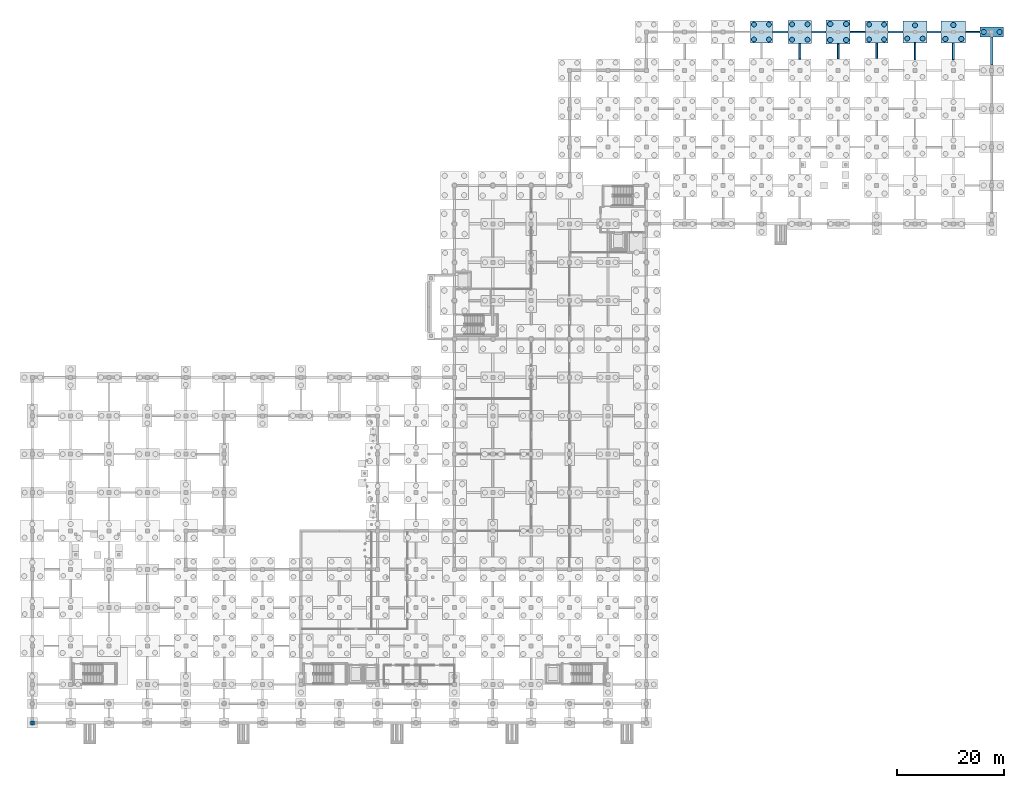
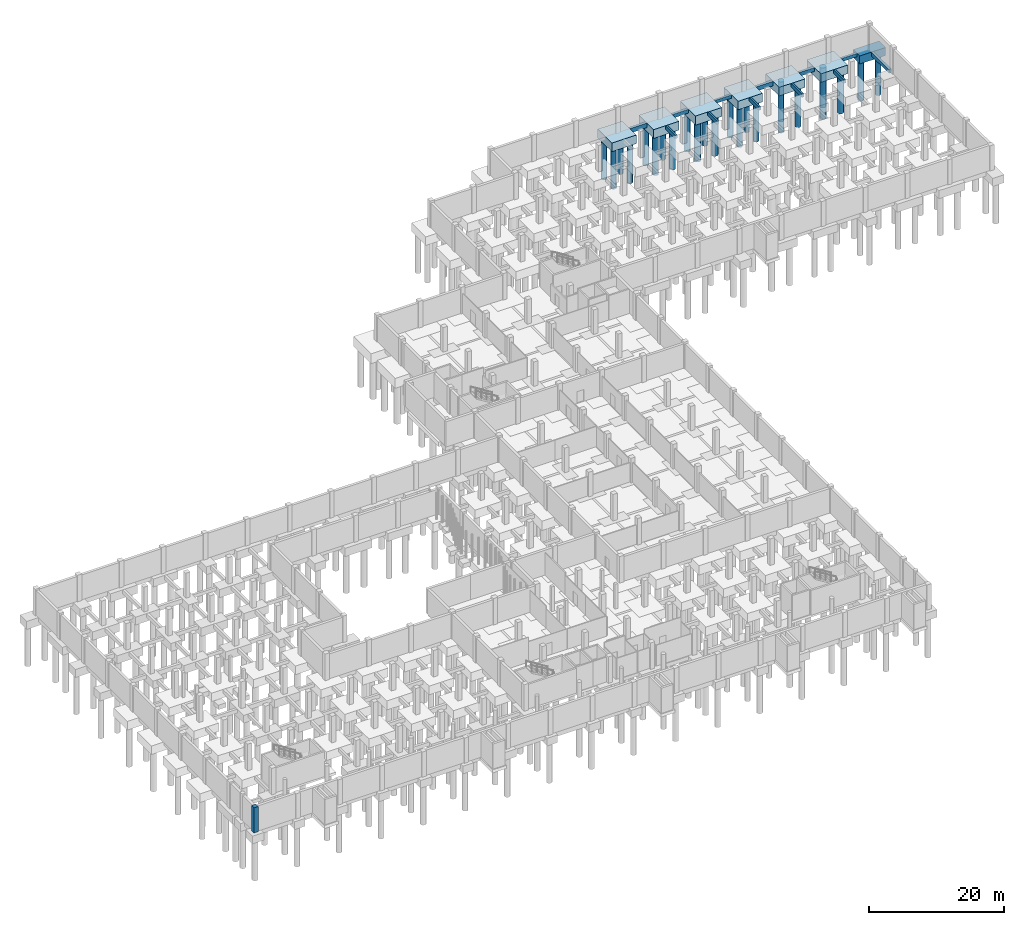
# One storey, part 16 of 35: 24 piles, 19 footings, 1 column.
"""IFC4 building model written with IfcOpenShell, lengths in metres."""

from ifc_helpers import new_model, si_unit, direction, frame, origin, origin_2d, place, context, subcontext, project, spatial, rectangle, circle, extrude, material, material_profile, profile_set, type_object, element, save


model = new_model("IFC4")

# Units and contexts
model_context = context("Model", 3, precision=1e-05, world=origin(), true_north=direction((0.0, 1.0)))
body_context = subcontext(model_context, "Body", "Model", "MODEL_VIEW")
ifc_project = project(units=[si_unit("LENGTHUNIT", "METRE"), si_unit("AREAUNIT", "SQUARE_METRE"), si_unit("VOLUMEUNIT", "CUBIC_METRE"), si_unit("PLANEANGLEUNIT", "RADIAN"), si_unit("MASSUNIT", "GRAM", prefix="KILO"), si_unit("THERMODYNAMICTEMPERATUREUNIT", "KELVIN"), si_unit("POWERUNIT", "WATT")], contexts=[model_context])

# Site, building, storey
site_placement = place(None, origin())
site = spatial("IfcSite", under=ifc_project, at=site_placement, CompositionType="ELEMENT")
building_placement = place(site_placement, origin())
building = spatial("IfcBuilding", under=site, at=building_placement, Name="Kaldorven Railside Theatre", CompositionType="ELEMENT")
storey_placement = place(building_placement, frame((0.0, 0.0, -4.800048828125)))
storey = spatial("IfcBuildingStorey", under=building, at=storey_placement, Name="B1", CompositionType="ELEMENT", Elevation=-4.800048828125)

# Footings
ifc_material_1 = material(Name="Concrete C40/50", Category="concrete")
ifc_material_profile_1 = material_profile(ifc_material_1, rectangle(XDim=0.449951171875, YDim=0.800048828125, at=origin_2d()), Name="RC 450x800")
ifc_profile_set_1 = profile_set([ifc_material_profile_1], Name="Concrete C40/50")
footing_type_1 = type_object("IfcFootingType", Name="FTG-GB01", PredefinedType="FOOTING_BEAM", material=ifc_profile_set_1)
footing_1_placement = place(storey_placement, frame((146.89990234375, 141.60009765625, -0.39990234375), z_axis=(1.0, 0.0, 0.0), x_axis=(0.0, 1.0, 0.0)))
element("IfcFooting", 1, at=footing_1_placement, inside=storey, type_object=footing_type_1, Name="Foundation Tie Beam GB-462", PredefinedType="FOOTING_BEAM", context=body_context, shape_type="SweptSolid", body=[
    extrude(rectangle(XDim=0.449951171875, YDim=0.800048828125, at=origin_2d()), origin(), (0.0, 0.0, 1.0), 2.925048828125),
])
footing_2_placement = place(storey_placement, frame((168.5, 141.60009765625, -0.39990234375), z_axis=(1.0, 0.0, 0.0), x_axis=(0.0, 1.0, 0.0)))
element("IfcFooting", 2, at=footing_2_placement, inside=storey, type_object=footing_type_1, Name="Foundation Tie Beam GB-465", PredefinedType="FOOTING_BEAM", context=body_context, shape_type="SweptSolid", body=[
    extrude(rectangle(XDim=0.449951171875, YDim=0.800048828125, at=origin_2d()), origin(), (0.0, 0.0, 1.0), 2.875),
])
ifc_material_profile_2 = material_profile(ifc_material_1, rectangle(XDim=0.39990234375, YDim=0.699951171875, at=origin_2d()), Name="RC 400x700")
ifc_profile_set_2 = profile_set([ifc_material_profile_2], Name="Concrete C40/50")
footing_type_2 = type_object("IfcFootingType", Name="FTG-GB02", PredefinedType="FOOTING_BEAM", material=ifc_profile_set_2)
footing_3_placement = place(storey_placement, frame((188.0, 135.425048828125, -0.349853515625), z_axis=(0.0, 1.0, 0.0), x_axis=(-1.0, 0.0, 0.0)))
element("IfcFooting", 3, at=footing_3_placement, inside=storey, type_object=footing_type_2, Name="Foundation Tie Beam GB-458", PredefinedType="FOOTING_BEAM", context=body_context, shape_type="SweptSolid", body=[
    extrude(rectangle(XDim=0.39990234375, YDim=0.699951171875, at=origin_2d()), origin(), (0.0, 0.0, 1.0), 5.199951171875),
])
footing_4_placement = place(storey_placement, frame((154.175048828125, 141.60009765625, -0.349853515625), z_axis=(1.0, 0.0, 0.0), x_axis=(0.0, 1.0, 0.0)))
element("IfcFooting", 4, at=footing_4_placement, inside=storey, type_object=footing_type_2, Name="Foundation Tie Beam GB-463", PredefinedType="FOOTING_BEAM", context=body_context, shape_type="SweptSolid", body=[
    extrude(rectangle(XDim=0.39990234375, YDim=0.699951171875, at=origin_2d()), origin(), (0.0, 0.0, 1.0), 2.77490234375),
])
footing_5_placement = place(storey_placement, frame((175.824951171875, 141.60009765625, -0.349853515625), z_axis=(1.0, 0.0, 0.0), x_axis=(0.0, 1.0, 0.0)))
element("IfcFooting", 5, at=footing_5_placement, inside=storey, type_object=footing_type_2, Name="Foundation Tie Beam GB-466", PredefinedType="FOOTING_BEAM", context=body_context, shape_type="SweptSolid", body=[
    extrude(rectangle(XDim=0.39990234375, YDim=0.699951171875, at=origin_2d()), origin(), (0.0, 0.0, 1.0), 2.675048828125),
])
ifc_material_profile_3 = material_profile(ifc_material_1, rectangle(XDim=0.35009765625, YDim=0.60009765625, at=origin_2d()), Name="RC 350x600")
ifc_profile_set_3 = profile_set([ifc_material_profile_3], Name="Concrete C40/50")
footing_type_3 = type_object("IfcFootingType", Name="FTG-GB03", PredefinedType="FOOTING_BEAM", material=ifc_profile_set_3)
footing_6_placement = place(storey_placement, frame((152.0, 136.5, -0.300048828125), z_axis=(0.0, 1.0, 0.0), x_axis=(-1.0, 0.0, 0.0)))
element("IfcFooting", 6, at=footing_6_placement, inside=storey, type_object=footing_type_3, Name="Foundation Tie Beam GB-449", PredefinedType="FOOTING_BEAM", context=body_context, shape_type="SweptSolid", body=[
    extrude(rectangle(XDim=0.35009765625, YDim=0.60009765625, at=origin_2d()), origin(), (0.0, 0.0, 1.0), 2.925048828125),
])
footing_7_placement = place(storey_placement, frame((159.199951171875, 136.574951171875, -0.300048828125), z_axis=(0.0, 1.0, 0.0), x_axis=(-1.0, 0.0, 0.0)))
element("IfcFooting", 7, at=footing_7_placement, inside=storey, type_object=footing_type_3, Name="Foundation Tie Beam GB-451", PredefinedType="FOOTING_BEAM", context=body_context, shape_type="SweptSolid", body=[
    extrude(rectangle(XDim=0.35009765625, YDim=0.60009765625, at=origin_2d()), origin(), (0.0, 0.0, 1.0), 2.775146484375),
])
footing_8_placement = place(storey_placement, frame((166.39990234375, 136.64990234375, -0.300048828125), z_axis=(0.0, 1.0, 0.0), x_axis=(-1.0, 0.0, 0.0)))
element("IfcFooting", 8, at=footing_8_placement, inside=storey, type_object=footing_type_3, Name="Foundation Tie Beam GB-453", PredefinedType="FOOTING_BEAM", context=body_context, shape_type="SweptSolid", body=[
    extrude(rectangle(XDim=0.35009765625, YDim=0.60009765625, at=origin_2d()), origin(), (0.0, 0.0, 1.0), 2.85009765625),
])
footing_9_placement = place(storey_placement, frame((173.60009765625, 136.35009765625, -0.300048828125), z_axis=(0.0, 1.0, 0.0), x_axis=(-1.0, 0.0, 0.0)))
element("IfcFooting", 9, at=footing_9_placement, inside=storey, type_object=footing_type_3, Name="Foundation Tie Beam GB-455", PredefinedType="FOOTING_BEAM", context=body_context, shape_type="SweptSolid", body=[
    extrude(rectangle(XDim=0.35009765625, YDim=0.60009765625, at=origin_2d()), origin(), (0.0, 0.0, 1.0), 3.224853515625),
])
footing_10_placement = place(storey_placement, frame((180.800048828125, 136.425048828125, -0.300048828125), z_axis=(0.0, 1.0, 0.0), x_axis=(-1.0, 0.0, 0.0)))
element("IfcFooting", 10, at=footing_10_placement, inside=storey, type_object=footing_type_3, Name="Foundation Tie Beam GB-457", PredefinedType="FOOTING_BEAM", context=body_context, shape_type="SweptSolid", body=[
    extrude(rectangle(XDim=0.35009765625, YDim=0.60009765625, at=origin_2d()), origin(), (0.0, 0.0, 1.0), 3.074951171875),
])
footing_11_placement = place(storey_placement, frame((161.449951171875, 141.60009765625, -0.300048828125), z_axis=(1.0, 0.0, 0.0), x_axis=(0.0, 1.0, 0.0)))
element("IfcFooting", 11, at=footing_11_placement, inside=storey, type_object=footing_type_3, Name="Foundation Tie Beam GB-464", PredefinedType="FOOTING_BEAM", context=body_context, shape_type="SweptSolid", body=[
    extrude(rectangle(XDim=0.35009765625, YDim=0.60009765625, at=origin_2d()), origin(), (0.0, 0.0, 1.0), 2.85009765625),
])
footing_12_placement = place(storey_placement, frame((183.10009765625, 141.60009765625, -0.300048828125), z_axis=(1.0, 0.0, 0.0), x_axis=(0.0, 1.0, 0.0)))
element("IfcFooting", 12, at=footing_12_placement, inside=storey, type_object=footing_type_3, Name="Foundation Tie Beam GB-467", PredefinedType="FOOTING_BEAM", context=body_context, shape_type="SweptSolid", body=[
    extrude(rectangle(XDim=0.35009765625, YDim=0.60009765625, at=origin_2d()), origin(), (0.0, 0.0, 1.0), 2.6748046875),
])
footing_type_4 = type_object("IfcFootingType", Name="FTG-PC06", PredefinedType="PILE_CAP", material=ifc_material_1)
footing_13_placement = place(storey_placement, frame((188.0, 141.60009765625, -1.44970703125), z_axis=(0.0, 0.0, 1.0), x_axis=(1.0, 0.0, 0.0)))
element("IfcFooting", 13, at=footing_13_placement, inside=storey, type_object=footing_type_4, Name="Reinforced Concrete Pile Cap FC-267", PredefinedType="PILE_CAP", context=body_context, shape_type="SweptSolid", body=[
    extrude(rectangle(XDim=4.449951171875, YDim=1.949951171875, at=origin_2d()), origin(), (0.0, 0.0, 1.0), 1.449951171875),
])
footing_type_5 = type_object("IfcFootingType", Name="FTG-PC10", PredefinedType="PILE_CAP", material=ifc_material_1)
footing_14_placement = place(storey_placement, frame((173.60009765625, 141.60009765625, -1.5498046875), z_axis=(0.0, 0.0, 1.0), x_axis=(1.0, 0.0, 0.0)))
element("IfcFooting", 14, at=footing_14_placement, inside=storey, type_object=footing_type_5, Name="Reinforced Concrete Pile Cap FC-265", PredefinedType="PILE_CAP", context=body_context, shape_type="SweptSolid", body=[
    extrude(rectangle(XDim=4.449951171875, YDim=4.050048828125, at=origin_2d()), origin(), (0.0, 0.0, 1.0), 1.550048828125),
])
footing_type_6 = type_object("IfcFootingType", Name="FTG-PC11", PredefinedType="PILE_CAP", material=ifc_material_1)
footing_15_placement = place(storey_placement, frame((180.800048828125, 141.60009765625, -1.5498046875), z_axis=(0.0, 0.0, 1.0), x_axis=(1.0, 0.0, 0.0)))
element("IfcFooting", 15, at=footing_15_placement, inside=storey, type_object=footing_type_6, Name="Reinforced Concrete Pile Cap FC-266", PredefinedType="PILE_CAP", context=body_context, shape_type="SweptSolid", body=[
    extrude(rectangle(XDim=4.60009765625, YDim=4.199951171875, at=origin_2d()), origin(), (0.0, 0.0, 1.0), 1.550048828125),
])
footing_type_7 = type_object("IfcFootingType", Name="FTG-PC12", PredefinedType="PILE_CAP", material=ifc_material_1)
for number, where, z_axis, x_axis, name in (
    (16, (144.800048828125, 141.60009765625, -1.5498046875), (0.0, 0.0, 1.0), (1.0, 0.0, 0.0), "Reinforced Concrete Pile Cap FC-261"),
    (17, (166.39990234375, 141.60009765625, -1.5498046875), (0.0, 0.0, 1.0), (1.0, 0.0, 0.0), "Reinforced Concrete Pile Cap FC-264"),
):
    element("IfcFooting", number, at=place(storey_placement, frame(where, z_axis=z_axis, x_axis=x_axis)), inside=storey, type_object=footing_type_7, Name=name, PredefinedType="PILE_CAP", context=body_context, shape_type="SweptSolid", body=[
        extrude(rectangle(XDim=4.199951171875, YDim=4.199951171875, at=origin_2d()), origin(), (0.0, 0.0, 1.0), 1.550048828125),
    ])
footing_type_8 = type_object("IfcFootingType", Name="FTG-PC13", PredefinedType="PILE_CAP", material=ifc_material_1)
footing_16_placement = place(storey_placement, frame((152.0, 141.60009765625, -1.60009765625), z_axis=(0.0, 0.0, 1.0), x_axis=(1.0, 0.0, 0.0)))
element("IfcFooting", 18, at=footing_16_placement, inside=storey, type_object=footing_type_8, Name="Reinforced Concrete Pile Cap FC-262", PredefinedType="PILE_CAP", context=body_context, shape_type="SweptSolid", body=[
    extrude(rectangle(XDim=4.35009765625, YDim=4.35009765625, at=origin_2d()), origin(), (0.0, 0.0, 1.0), 1.60009765625),
])
footing_type_9 = type_object("IfcFootingType", Name="FTG-PC14", PredefinedType="PILE_CAP", material=ifc_material_1)
footing_17_placement = place(storey_placement, frame((159.199951171875, 141.60009765625, -1.64990234375), z_axis=(0.0, 0.0, 1.0), x_axis=(1.0, 0.0, 0.0)))
element("IfcFooting", 19, at=footing_17_placement, inside=storey, type_object=footing_type_9, Name="Reinforced Concrete Pile Cap FC-263", PredefinedType="PILE_CAP", context=body_context, shape_type="SweptSolid", body=[
    extrude(rectangle(XDim=4.5, YDim=4.5, at=origin_2d()), origin(), (0.0, 0.0, 1.0), 1.64990234375),
])

# Piles
ifc_material_2 = material(Name="Concrete C35/45", Category="concrete")
ifc_material_profile_4 = material_profile(ifc_material_2, circle(Radius=0.5, at=origin_2d()), Name="BP D1000")
ifc_profile_set_4 = profile_set([ifc_material_profile_4], Name="Concrete C35/45")
pile_type_1 = type_object("IfcPileType", Name="PIL-D1000", PredefinedType="BORED", material=ifc_profile_set_4)
for number, where, z_axis, x_axis, name in (
    (20, (157.699951171875, 140.10009765625, -1.550048828125), (0.0, 0.0, -1.0), (1.0, 0.0, 0.0), "Bored Bedrock Socket Pile BP-159-141-1"),
    (21, (160.699951171875, 140.10009765625, -1.550048828125), (0.0, 0.0, -1.0), (1.0, 0.0, 0.0), "Bored Bedrock Socket Pile BP-159-141-2"),
    (22, (157.699951171875, 143.10009765625, -1.550048828125), (0.0, 0.0, -1.0), (1.0, 0.0, 0.0), "Bored Bedrock Socket Pile BP-159-141-3"),
    (23, (160.699951171875, 143.10009765625, -1.550048828125), (0.0, 0.0, -1.0), (1.0, 0.0, 0.0), "Bored Bedrock Socket Pile BP-159-141-4"),
):
    element("IfcPile", number, at=place(storey_placement, frame(where, z_axis=z_axis, x_axis=x_axis)), inside=storey, type_object=pile_type_1, Name=name, PredefinedType="BORED", context=body_context, shape_type="SweptSolid", body=[
        extrude(circle(Radius=0.5, at=origin_2d()), origin(), (0.0, 0.0, 1.0), 7.14990234375),
    ])
for number, where, z_axis, x_axis, name in (
    (24, (179.300048828125, 140.300048828125, -1.449951171875), (0.0, 0.0, -1.0), (1.0, 0.0, 0.0), "Bored Bedrock Socket Pile BP-180-141-1"),
    (25, (182.300048828125, 140.300048828125, -1.449951171875), (0.0, 0.0, -1.0), (1.0, 0.0, 0.0), "Bored Bedrock Socket Pile BP-180-141-2"),
    (26, (180.800048828125, 142.89990234375, -1.449951171875), (0.0, 0.0, -1.0), (1.0, 0.0, 0.0), "Bored Bedrock Socket Pile BP-180-141-3"),
):
    element("IfcPile", number, at=place(storey_placement, frame(where, z_axis=z_axis, x_axis=x_axis)), inside=storey, type_object=pile_type_1, Name=name, PredefinedType="BORED", context=body_context, shape_type="SweptSolid", body=[
        extrude(circle(Radius=0.5, at=origin_2d()), origin(), (0.0, 0.0, 1.0), 7.25),
    ])
ifc_material_profile_5 = material_profile(ifc_material_2, circle(Radius=0.449951171875, at=origin_2d()), Name="BP D900")
ifc_profile_set_5 = profile_set([ifc_material_profile_5], Name="Concrete C35/45")
pile_type_2 = type_object("IfcPileType", Name="PIL-D900", PredefinedType="BORED", material=ifc_profile_set_5)
for number, where, z_axis, x_axis, name in (
    (27, (143.39990234375, 140.199951171875, -1.449951171875), (0.0, 0.0, -1.0), (1.0, 0.0, 0.0), "Bored Bedrock Socket Pile BP-144-141-1"),
    (28, (146.199951171875, 140.199951171875, -1.449951171875), (0.0, 0.0, -1.0), (1.0, 0.0, 0.0), "Bored Bedrock Socket Pile BP-144-141-2"),
    (29, (143.39990234375, 143.0, -1.449951171875), (0.0, 0.0, -1.0), (1.0, 0.0, 0.0), "Bored Bedrock Socket Pile BP-144-141-3"),
    (30, (146.199951171875, 143.0, -1.449951171875), (0.0, 0.0, -1.0), (1.0, 0.0, 0.0), "Bored Bedrock Socket Pile BP-144-141-4"),
    (31, (165.0, 140.199951171875, -1.449951171875), (0.0, 0.0, -1.0), (1.0, 0.0, 0.0), "Bored Bedrock Socket Pile BP-166-141-1"),
    (32, (167.800048828125, 140.199951171875, -1.449951171875), (0.0, 0.0, -1.0), (1.0, 0.0, 0.0), "Bored Bedrock Socket Pile BP-166-141-2"),
    (33, (165.0, 143.0, -1.449951171875), (0.0, 0.0, -1.0), (1.0, 0.0, 0.0), "Bored Bedrock Socket Pile BP-166-141-3"),
    (34, (167.800048828125, 143.0, -1.449951171875), (0.0, 0.0, -1.0), (1.0, 0.0, 0.0), "Bored Bedrock Socket Pile BP-166-141-4"),
):
    element("IfcPile", number, at=place(storey_placement, frame(where, z_axis=z_axis, x_axis=x_axis)), inside=storey, type_object=pile_type_2, Name=name, PredefinedType="BORED", context=body_context, shape_type="SweptSolid", body=[
        extrude(circle(Radius=0.449951171875, at=origin_2d()), origin(), (0.0, 0.0, 1.0), 7.25),
    ])
ifc_material_profile_6 = material_profile(ifc_material_2, circle(Radius=0.47509765625, at=origin_2d()), Name="BP D950")
ifc_profile_set_6 = profile_set([ifc_material_profile_6], Name="Concrete C35/45")
pile_type_3 = type_object("IfcPileType", Name="PIL-D950", PredefinedType="BORED", material=ifc_profile_set_6)
for number, where, z_axis, x_axis, name in (
    (35, (150.550048828125, 140.14990234375, -1.5), (0.0, 0.0, -1.0), (1.0, 0.0, 0.0), "Bored Bedrock Socket Pile BP-152-141-1"),
    (36, (153.449951171875, 140.14990234375, -1.5), (0.0, 0.0, -1.0), (1.0, 0.0, 0.0), "Bored Bedrock Socket Pile BP-152-141-2"),
    (37, (150.550048828125, 143.050048828125, -1.5), (0.0, 0.0, -1.0), (1.0, 0.0, 0.0), "Bored Bedrock Socket Pile BP-152-141-3"),
    (38, (153.449951171875, 143.050048828125, -1.5), (0.0, 0.0, -1.0), (1.0, 0.0, 0.0), "Bored Bedrock Socket Pile BP-152-141-4"),
):
    element("IfcPile", number, at=place(storey_placement, frame(where, z_axis=z_axis, x_axis=x_axis)), inside=storey, type_object=pile_type_3, Name=name, PredefinedType="BORED", context=body_context, shape_type="SweptSolid", body=[
        extrude(circle(Radius=0.47509765625, at=origin_2d()), origin(), (0.0, 0.0, 1.0), 7.199951171875),
    ])
for number, where, z_axis, x_axis, name in (
    (39, (172.14990234375, 140.35009765625, -1.449951171875), (0.0, 0.0, -1.0), (1.0, 0.0, 0.0), "Bored Bedrock Socket Pile BP-173-141-1"),
    (40, (175.050048828125, 140.35009765625, -1.449951171875), (0.0, 0.0, -1.0), (1.0, 0.0, 0.0), "Bored Bedrock Socket Pile BP-173-141-2"),
    (41, (173.60009765625, 142.860107421875, -1.449951171875), (0.0, 0.0, -1.0), (1.0, 0.0, 0.0), "Bored Bedrock Socket Pile BP-173-141-3"),
):
    element("IfcPile", number, at=place(storey_placement, frame(where, z_axis=z_axis, x_axis=x_axis)), inside=storey, type_object=pile_type_3, Name=name, PredefinedType="BORED", context=body_context, shape_type="SweptSolid", body=[
        extrude(circle(Radius=0.47509765625, at=origin_2d()), origin(), (0.0, 0.0, 1.0), 7.25),
    ])
for number, where, z_axis, x_axis, name in (
    (42, (186.52001953125, 141.60009765625, -1.349853515625), (0.0, 0.0, -1.0), (1.0, 0.0, 0.0), "Bored Bedrock Socket Pile BP-188-141-1"),
    (43, (189.47998046875, 141.60009765625, -1.349853515625), (0.0, 0.0, -1.0), (1.0, 0.0, 0.0), "Bored Bedrock Socket Pile BP-188-141-2"),
):
    element("IfcPile", number, at=place(storey_placement, frame(where, z_axis=z_axis, x_axis=x_axis)), inside=storey, type_object=pile_type_3, Name=name, PredefinedType="BORED", context=body_context, shape_type="SweptSolid", body=[
        extrude(circle(Radius=0.47509765625, at=origin_2d()), origin(), (0.0, 0.0, 1.0), 7.35009765625),
    ])

# Column
ifc_material_profile_7 = material_profile(ifc_material_1, rectangle(XDim=0.75, YDim=0.75, at=origin_2d()), Name="RC 750x750")
ifc_profile_set_7 = profile_set([ifc_material_profile_7], Name="Concrete C40/50")
column_type = type_object("IfcColumnType", Name="COL-RC750", PredefinedType="COLUMN", material=ifc_profile_set_7)
column_placement = place(storey_placement, frame((8.0, 12.0, 0.0), z_axis=(0.0, 0.0, 1.0), x_axis=(1.0, 0.0, 0.0)))
element("IfcColumn", 44, at=column_placement, inside=storey, type_object=column_type, Name="B1 Column CG-B1-008-012", PredefinedType="COLUMN", context=body_context, shape_type="SweptSolid", body=[
    extrude(rectangle(XDim=0.75, YDim=0.75, at=origin_2d()), origin(), (0.0, 0.0, 1.0), 4.550048828125),
])

save(model, "model.ifc")
